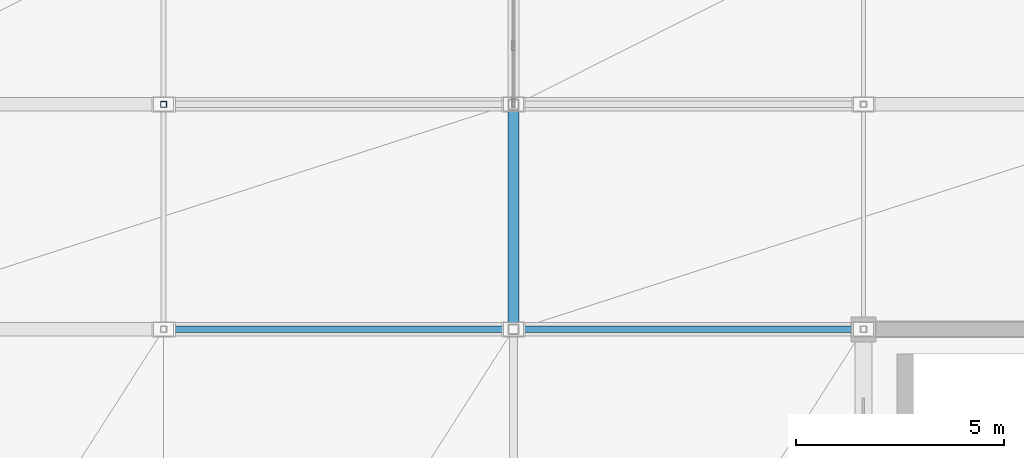
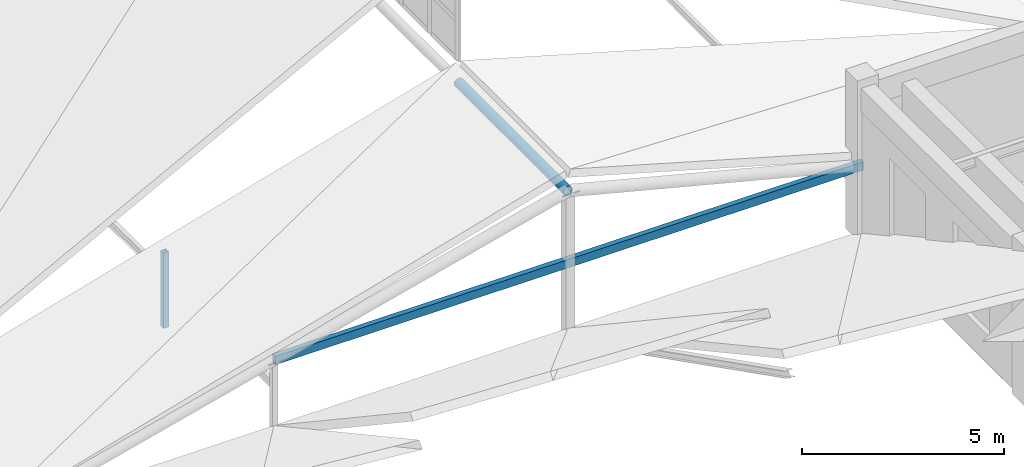
# One storey, part 11 of 76: 3 members.
"""IFC4 building model written with IfcOpenShell, lengths in metres."""

from ifc_helpers import new_model, si_unit, direction, frame, origin, origin_2d, place, context, subcontext, project, spatial, hollow_rectangle, hollow_circle, extrude, material, material_profile, profile_set, type_object, element, save


model = new_model("IFC4")

# Units and contexts
model_context = context("Model", 3, precision=1e-05, world=origin(), true_north=direction((0.0, 1.0)))
body_context = subcontext(model_context, "Body", "Model", "MODEL_VIEW")
ifc_project = project(units=[si_unit("LENGTHUNIT", "METRE"), si_unit("AREAUNIT", "SQUARE_METRE"), si_unit("VOLUMEUNIT", "CUBIC_METRE"), si_unit("PLANEANGLEUNIT", "RADIAN"), si_unit("MASSUNIT", "GRAM", prefix="KILO")], contexts=[model_context])

# Site, building, storey
site_placement = place(None, origin())
site = spatial("IfcSite", under=ifc_project, at=site_placement, CompositionType="ELEMENT")
building_placement = place(site_placement, origin())
building = spatial("IfcBuilding", under=site, at=building_placement, Name="Krzemoval Escarpment Law Courts", CompositionType="ELEMENT")
storey_placement = place(building_placement, frame((0.0, 0.0, 20.39990234375)))
storey = spatial("IfcBuildingStorey", under=building, at=storey_placement, Name="L04", CompositionType="ELEMENT", Elevation=20.39990234375)

# Members
ifc_material_1 = material(Name="Steel S355", Category="steel")
ifc_material_profile_1 = material_profile(ifc_material_1, hollow_circle(Radius=0.136474609375, WallThickness=0.012451171875, at=origin_2d()), Name="CHS 273x12.5")
ifc_profile_set_1 = profile_set([ifc_material_profile_1], Name="Steel S355")
member_type_1 = type_object("IfcMemberType", Name="MBR-CHD-CHS273", PredefinedType="CHORD", material=ifc_profile_set_1)
member_1_placement = place(storey_placement, frame((25.199951171875, 35.39990234375, 4.150146484375), z_axis=(0.0, 1.0, 0.0), x_axis=(-1.0, 0.0, 0.0)))
element("IfcMember", 1, at=member_1_placement, inside=storey, type_object=member_type_1, Name="Roof Truss Top Chord TC-0055", PredefinedType="CHORD", context=body_context, shape_type="SweptSolid", body=[
    extrude(hollow_circle(Radius=0.136474609375, WallThickness=0.012451171875, at=origin_2d()), origin(), (0.0, 0.0, 1.0), 5.400146484375),
])
ifc_material_2 = material(Name="Steel S355", Category="steel")
ifc_material_profile_2 = material_profile(ifc_material_2, hollow_rectangle(XDim=0.14990234375, YDim=0.25, WallThickness=0.010009765625, at=origin_2d()), Name="RHS 250x150x10")
ifc_profile_set_2 = profile_set([ifc_material_profile_2], Name="Steel S355")
member_type_2 = type_object("IfcMemberType", Name="MBR-COL-RHS250", PredefinedType="COLLAR", material=ifc_profile_set_2)
member_2_placement = place(storey_placement, frame((16.800048828125, 35.39990234375, 2.0), z_axis=(1.0, 0.0, 0.0), x_axis=(0.0, 1.0, 0.0)))
element("IfcMember", 2, at=member_2_placement, inside=storey, type_object=member_type_2, Name="Roof Collar Tie CL-0006", PredefinedType="COLLAR", context=body_context, shape_type="SweptSolid", body=[
    extrude(hollow_rectangle(XDim=0.14990234375, YDim=0.25, WallThickness=0.010009765625, at=origin_2d()), origin(), (0.0, 0.0, 1.0), 16.800048828125),
])
ifc_material_3 = material(Name="Steel S355", Category="steel")
ifc_material_profile_3 = material_profile(ifc_material_3, hollow_rectangle(XDim=0.14990234375, YDim=0.14990234375, WallThickness=0.008056640625, at=origin_2d()), Name="SHS 150x150x8")
ifc_profile_set_3 = profile_set([ifc_material_profile_3], Name="Steel S355")
member_type_3 = type_object("IfcMemberType", Name="MBR-STR-SHS150", PredefinedType="STRUT", material=ifc_profile_set_3)
member_3_placement = place(storey_placement, frame((16.800048828125, 40.800048828125, -0.27978515625), z_axis=(0.0, 0.0, 1.0), x_axis=(1.0, 0.0, 0.0)))
element("IfcMember", 3, at=member_3_placement, inside=storey, type_object=member_type_3, Name="Roof Truss Web Strut ST-0008", PredefinedType="STRUT", context=body_context, shape_type="SweptSolid", body=[
    extrude(hollow_rectangle(XDim=0.14990234375, YDim=0.14990234375, WallThickness=0.008056640625, at=origin_2d()), origin(), (0.0, 0.0, 1.0), 2.27978515625),
])

save(model, "model.ifc")
